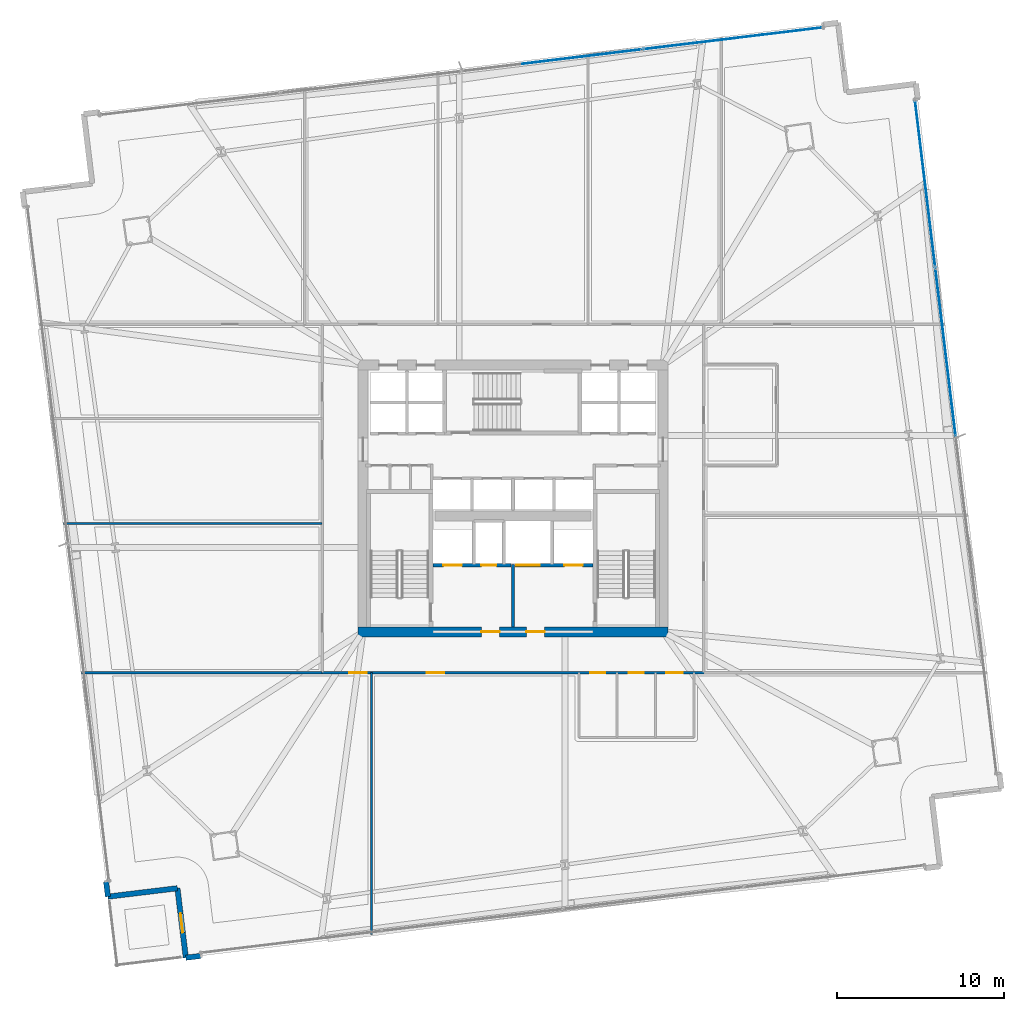
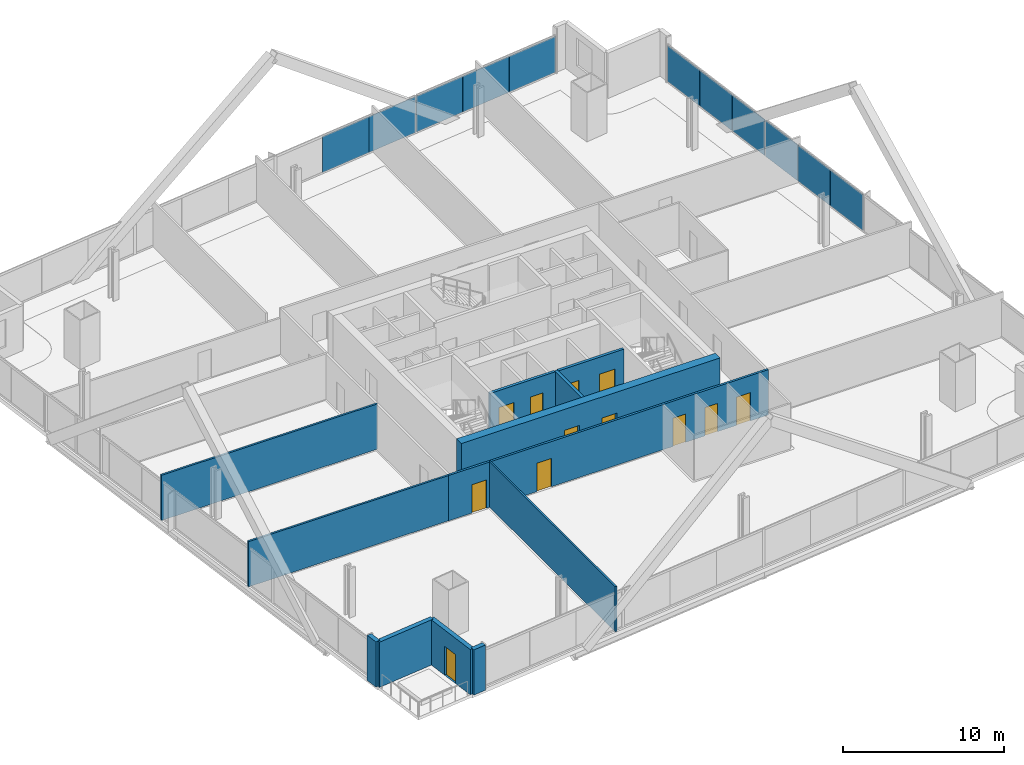
# One storey, part 25 of 33: 12 doors, 12 walls, 11 plates, 12 openings, 2 elements without a shape of their own.
"""IFC4 building model written with IfcOpenShell, lengths in metres."""

from ifc_helpers import new_model, si_unit, direction, frame, frame_2d, origin, origin_2d, place, context, subcontext, project, spatial, rectangle, extrude, source, transform, mapped, material, layer, layer_set, type_object, element, fill, aggregate, save


model = new_model("IFC4")

# Units and contexts
model_context = context("Model", 3, precision=1e-05, world=origin(), true_north=direction((0.0, 1.0)))
body_context = subcontext(model_context, "Body", "Model", "MODEL_VIEW")
ifc_project = project(units=[si_unit("LENGTHUNIT", "METRE"), si_unit("AREAUNIT", "SQUARE_METRE"), si_unit("VOLUMEUNIT", "CUBIC_METRE"), si_unit("PLANEANGLEUNIT", "RADIAN"), si_unit("MASSUNIT", "GRAM", prefix="KILO")], contexts=[model_context])

# Site, building, storey
site_placement = place(None, origin())
site = spatial("IfcSite", under=ifc_project, at=site_placement, CompositionType="ELEMENT")
building_placement = place(site_placement, origin())
building = spatial("IfcBuilding", under=site, at=building_placement, Name="Haldenkirk Collegiate Tower", CompositionType="ELEMENT")
storey_placement = place(building_placement, frame((0.0, 0.0, 51.449951171875)))
storey = spatial("IfcBuildingStorey", under=building, at=storey_placement, Name="L11", CompositionType="ELEMENT", Elevation=51.449951171875)

# Curtain wall, plates
ifc_material_1 = material(Name="Anodised architectural bronze aluminium", Category="aluminium")
curtain_wall_type = type_object("IfcCurtainWallType", Name="CW-SYS1-CONVEX-LOW", PredefinedType="USERDEFINED", material=ifc_material_1)
curtain_wall_1_placement = place(storey_placement, origin())
curtain_wall_1 = element("IfcCurtainWall", 1, at=curtain_wall_1_placement, inside=storey, type_object=curtain_wall_type, Name="L11 Lower tower convex bronze-framed unitised curtain wall", ObjectType="UNITISED CURTAIN WALL", PredefinedType="USERDEFINED")
ifc_material_2 = material(Name="Bronze-anodised insulated aluminium spandrel panel", Category="aluminium")
ifc_layer_1 = layer(ifc_material_2, 0.0439453125)
ifc_layer_set_1 = layer_set([ifc_layer_1], Name="Bronze-anodised insulated aluminium spandrel panel")
plate_type_1 = type_object("IfcPlateType", Name="CW-SPD-1A", PredefinedType="CURTAIN_PANEL", material=ifc_layer_set_1)
shared_shape_1 = source(origin(), body_context, "Body", "SweptSolid", [
    extrude(rectangle(XDim=3.36083984375, YDim=0.0439453125, at=origin_2d()), origin(), (0.0, 0.0, 1.0), 2.73095703125),
])
plate_1_placement = place(storey_placement, frame((61.547119140625, 38.13671875, 0.080078125), z_axis=(0.0, 0.0, 1.0), x_axis=(0.120137247576, -0.992757292466, 0.0)))
plate_1 = element("IfcPlate", 2, at=plate_1_placement, type_object=plate_type_1, Name="CW-1A spandrel panel 2.1a", PredefinedType="CURTAIN_PANEL", context=body_context, shape_type="MappedRepresentation", body=[
    mapped(shared_shape_1, transform((0.0, 0.0, 0.0), x_axis=(1.0, 0.0, 0.0), y_axis=(0.0, 1.0, 0.0), z_axis=(0.0, 0.0, 1.0), scale=1.0)),
])
ifc_material_3 = material(Name="Low-E argon triple insulating glass", Category="glass")
ifc_layer_2 = layer(ifc_material_3, 0.0439453125)
ifc_layer_set_2 = layer_set([ifc_layer_2], Name="Low-E argon triple insulating glass")
plate_type_2 = type_object("IfcPlateType", Name="CW-PNL-1A", PredefinedType="CURTAIN_PANEL", material=ifc_layer_set_2)
plate_2_placement = place(storey_placement, frame((62.35888671875, 31.426513671875, 0.080078125), z_axis=(0.0, 0.0, 1.0), x_axis=(0.120137247576, -0.992757292466, 0.0)))
plate_2 = element("IfcPlate", 3, at=plate_2_placement, type_object=plate_type_2, Name="CW-1A panel 2.1c", PredefinedType="CURTAIN_PANEL", context=body_context, shape_type="MappedRepresentation", body=[
    mapped(shared_shape_1, transform((0.0, 0.0, 0.0), x_axis=(1.0, 0.0, 0.0), y_axis=(0.0, 1.0, 0.0), z_axis=(0.0, 0.0, 1.0), scale=1.0)),
])
shared_shape_2 = source(origin(), body_context, "Body", "SweptSolid", [
    extrude(rectangle(XDim=3.348388671875, YDim=0.0439453125, at=origin_2d()), origin(), (0.0, 0.0, 1.0), 2.73095703125),
])
plate_3_placement = place(storey_placement, frame((61.952880859375, 34.781494140625, 0.080078125), z_axis=(0.0, 0.0, 1.0), x_axis=(0.120137247576, -0.992757292466, 0.0)))
plate_3 = element("IfcPlate", 4, at=plate_3_placement, type_object=plate_type_2, Name="CW-1A panel 2.1b", PredefinedType="CURTAIN_PANEL", context=body_context, shape_type="MappedRepresentation", body=[
    mapped(shared_shape_2, transform((0.0, 0.0, 0.0), x_axis=(1.0, 0.0, 0.0), y_axis=(0.0, 1.0, 0.0), z_axis=(0.0, 0.0, 1.0), scale=1.0)),
])

curtain_wall_2_placement = place(storey_placement, origin())
curtain_wall_2 = element("IfcCurtainWall", 5, at=curtain_wall_2_placement, inside=storey, type_object=curtain_wall_type, Name="L11 Lower tower convex bronze-framed unitised curtain wall", ObjectType="UNITISED CURTAIN WALL", PredefinedType="USERDEFINED")
shared_shape_3 = source(origin(), body_context, "Body", "SweptSolid", [
    extrude(rectangle(XDim=3.61083984375, YDim=0.0439453125, at=origin_2d()), origin(), (0.0, 0.0, 1.0), 2.73095703125),
])
plate_4_placement = place(storey_placement, frame((41.936767578125, 52.726806640625, 0.080078125), z_axis=(0.0, 0.0, 1.0), x_axis=(0.992757300755, 0.120137179083, 0.0)))
plate_4 = element("IfcPlate", 6, at=plate_4_placement, type_object=plate_type_1, Name="CW-1A spandrel panel 3.1c", PredefinedType="CURTAIN_PANEL", context=body_context, shape_type="MappedRepresentation", body=[
    mapped(shared_shape_3, transform((0.0, 0.0, 0.0), x_axis=(1.0, 0.0, 0.0), y_axis=(0.0, 1.0, 0.0), z_axis=(0.0, 0.0, 1.0), scale=1.0)),
])
shared_shape_4 = source(origin(), body_context, "Body", "SweptSolid", [
    extrude(rectangle(XDim=3.598388671875, YDim=0.0439453125, at=origin_2d()), origin(), (0.0, 0.0, 1.0), 2.73095703125),
])
plate_5_placement = place(storey_placement, frame((38.33349609375, 52.290771484375, 0.080078125), z_axis=(0.0, 0.0, 1.0), x_axis=(0.992757300755, 0.120137179083, 0.0)))
plate_5 = element("IfcPlate", 7, at=plate_5_placement, type_object=plate_type_2, Name="CW-1A panel 3.1b", PredefinedType="CURTAIN_PANEL", context=body_context, shape_type="MappedRepresentation", body=[
    mapped(shared_shape_4, transform((0.0, 0.0, 0.0), x_axis=(1.0, 0.0, 0.0), y_axis=(0.0, 1.0, 0.0), z_axis=(0.0, 0.0, 1.0), scale=1.0)),
])

# Plate
shared_shape_5 = source(origin(), body_context, "Body", "SweptSolid", [
    extrude(rectangle(XDim=3.347412109375, YDim=0.0439453125, at=origin_2d()), origin(), (0.0, 0.0, 1.0), 2.73095703125),
])
plate_6_placement = place(storey_placement, frame((60.32568359375, 48.229736328125, 0.080078125), z_axis=(0.0, 0.0, 1.0), x_axis=(0.120137247576, -0.992757292466, 0.0)))
plate_6 = element("IfcPlate", 8, at=plate_6_placement, type_object=plate_type_2, Name="CW-1A panel 1.1a", PredefinedType="CURTAIN_PANEL", context=body_context, shape_type="MappedRepresentation", body=[
    mapped(shared_shape_5, transform((0.0, 0.0, 0.0), x_axis=(1.0, 0.0, 0.0), y_axis=(0.0, 1.0, 0.0), z_axis=(0.0, 0.0, 1.0), scale=1.0)),
])

plate_7_placement = place(storey_placement, frame((61.134521484375, 41.5458984375, 0.080078125), z_axis=(0.0, 0.0, 1.0), x_axis=(0.120137247576, -0.992757292466, 0.0)))
plate_7 = element("IfcPlate", 9, at=plate_7_placement, type_object=plate_type_1, Name="CW-1A spandrel panel 1.1c", PredefinedType="CURTAIN_PANEL", context=body_context, shape_type="MappedRepresentation", body=[
    mapped(shared_shape_5, transform((0.0, 0.0, 0.0), x_axis=(1.0, 0.0, 0.0), y_axis=(0.0, 1.0, 0.0), z_axis=(0.0, 0.0, 1.0), scale=1.0)),
])

shared_shape_6 = source(origin(), body_context, "Body", "SweptSolid", [
    extrude(rectangle(XDim=3.3349609375, YDim=0.0439453125, at=origin_2d()), origin(), (0.0, 0.0, 1.0), 2.73095703125),
])
plate_8_placement = place(storey_placement, frame((60.72998046875, 44.8876953125, 0.080078125), z_axis=(0.0, 0.0, 1.0), x_axis=(0.120137247576, -0.992757292466, 0.0)))
plate_8 = element("IfcPlate", 10, at=plate_8_placement, type_object=plate_type_1, Name="CW-1A spandrel panel 1.1b", PredefinedType="CURTAIN_PANEL", context=body_context, shape_type="MappedRepresentation", body=[
    mapped(shared_shape_6, transform((0.0, 0.0, 0.0), x_axis=(1.0, 0.0, 0.0), y_axis=(0.0, 1.0, 0.0), z_axis=(0.0, 0.0, 1.0), scale=1.0)),
])

aggregate(curtain_wall_1, [plate_6, plate_8, plate_7, plate_1, plate_3, plate_2])

shared_shape_7 = source(origin(), body_context, "Body", "SweptSolid", [
    extrude(rectangle(XDim=3.597412109375, YDim=0.0439453125, at=origin_2d()), origin(), (0.0, 0.0, 1.0), 2.73095703125),
])
plate_9_placement = place(storey_placement, frame((45.59423828125, 53.16943359375, 0.080078125), z_axis=(0.0, 0.0, 1.0), x_axis=(0.992757300755, 0.120137179083, 0.0)))
plate_9 = element("IfcPlate", 11, at=plate_9_placement, type_object=plate_type_1, Name="CW-1A spandrel panel 4.1a", PredefinedType="CURTAIN_PANEL", context=body_context, shape_type="MappedRepresentation", body=[
    mapped(shared_shape_7, transform((0.0, 0.0, 0.0), x_axis=(1.0, 0.0, 0.0), y_axis=(0.0, 1.0, 0.0), z_axis=(0.0, 0.0, 1.0), scale=1.0)),
])

plate_10_placement = place(storey_placement, frame((52.7744140625, 54.038330078125, 0.080078125), z_axis=(0.0, 0.0, 1.0), x_axis=(0.992757300755, 0.120137179083, 0.0)))
plate_10 = element("IfcPlate", 12, at=plate_10_placement, type_object=plate_type_2, Name="CW-1A panel 4.1c", PredefinedType="CURTAIN_PANEL", context=body_context, shape_type="MappedRepresentation", body=[
    mapped(shared_shape_7, transform((0.0, 0.0, 0.0), x_axis=(1.0, 0.0, 0.0), y_axis=(0.0, 1.0, 0.0), z_axis=(0.0, 0.0, 1.0), scale=1.0)),
])

shared_shape_8 = source(origin(), body_context, "Body", "SweptSolid", [
    extrude(rectangle(XDim=3.5849609375, YDim=0.0439453125, at=origin_2d()), origin(), (0.0, 0.0, 1.0), 2.73095703125),
])
plate_11_placement = place(storey_placement, frame((49.18408203125, 53.603759765625, 0.080078125), z_axis=(0.0, 0.0, 1.0), x_axis=(0.992757300755, 0.120137179083, 0.0)))
plate_11 = element("IfcPlate", 13, at=plate_11_placement, type_object=plate_type_2, Name="CW-1A panel 4.1b", PredefinedType="CURTAIN_PANEL", context=body_context, shape_type="MappedRepresentation", body=[
    mapped(shared_shape_8, transform((0.0, 0.0, 0.0), x_axis=(1.0, 0.0, 0.0), y_axis=(0.0, 1.0, 0.0), z_axis=(0.0, 0.0, 1.0), scale=1.0)),
])

aggregate(curtain_wall_2, [plate_5, plate_4, plate_9, plate_11, plate_10])

# Wall, openings, doors
ifc_material_4 = material(Name="Concrete f'c 70 MPa", Category="concrete")
ifc_layer_3 = layer(ifc_material_4, 0.60009765625)
ifc_layer_set_3 = layer_set([ifc_layer_3], Name="Concrete f'c 70 MPa")
wall_type_1 = type_object("IfcWallType", Name="WL-CORE-600", PredefinedType="SHEAR", material=ifc_layer_set_3)
wall_1_placement = place(storey_placement, frame((26.699951171875, 18.0, 0.0), z_axis=(0.0, 0.0, 1.0), x_axis=(1.0, 0.0, 0.0)))
wall_1 = element("IfcWall", 14, at=wall_1_placement, inside=storey, type_object=wall_type_1, Name="L11 central core shear wall S", PredefinedType="SHEAR", context=body_context, shape_type="SweptSolid", body=[
    extrude(rectangle(XDim=18.60009765625, YDim=0.60009765625, at=frame_2d((9.300048828125, 0.0))), origin(), (0.0, 0.0, 1.0), 3.75),
])
opening_1_placement = place(wall_1_placement, frame((7.39990234375, 0.0, 0.0)))
opening_1 = element("IfcOpeningElement", 15, at=opening_1_placement, cuts=wall_1, Name="Opening D-02", PredefinedType="OPENING", context=body_context, shape_type="SweptSolid", body=[
    extrude(rectangle(XDim=1.10009765625, YDim=2.14990234375, at=frame_2d((0.550048828125, 1.074951171875))), frame((0.0, 0.31005859375, 0.0), z_axis=(0.0, -1.0, 0.0), x_axis=(1.0, 0.0, 0.0)), (0.0, 0.0, 1.0), 0.6201171875),
])
opening_2_placement = place(wall_1_placement, frame((10.10009765625, 0.0, 0.0)))
opening_2 = element("IfcOpeningElement", 16, at=opening_2_placement, cuts=wall_1, Name="Opening D-02", PredefinedType="OPENING", context=body_context, shape_type="SweptSolid", body=[
    extrude(rectangle(XDim=1.10009765625, YDim=2.14990234375, at=frame_2d((0.550048828125, 1.074951171875))), frame((0.0, 0.31005859375, 0.0), z_axis=(0.0, -1.0, 0.0), x_axis=(1.0, 0.0, 0.0)), (0.0, 0.0, 1.0), 0.6201171875),
])
ifc_material_5 = material(Name="Galvanized fire-rated hollow steel door", Category="steel")
ifc_layer_4 = layer(ifc_material_5, 0.06005859375)
ifc_layer_set_4 = layer_set([ifc_layer_4], Name="Galvanized fire-rated hollow steel door")
door_type_1 = type_object("IfcDoorType", Name="DR-STAIR-FD90-1100", OperationType="NOTDEFINED", PredefinedType="DOOR", material=ifc_layer_set_4)
door_1_placement = place(opening_1_placement, origin())
door_1 = element("IfcDoor", 17, at=door_1_placement, inside=storey, type_object=door_type_1, Name="L11 Firefighting Lobby 1 door", OperationType="SINGLE_SWING_LEFT", OverallHeight=2.14990234375, OverallWidth=1.10009765625, PredefinedType="DOOR", context=body_context, shape_type="SweptSolid", body=[
    extrude(rectangle(XDim=1.10009765625, YDim=2.14990234375, at=frame_2d((0.550048828125, 1.074951171875))), frame((0.0, 0.02490234375, 0.0), z_axis=(0.0, -1.0, 0.0), x_axis=(1.0, 0.0, 0.0)), (0.0, 0.0, 1.0), 0.050048828125),
])
fill(opening_1, door_1)
door_2_placement = place(opening_2_placement, origin())
door_2 = element("IfcDoor", 18, at=door_2_placement, inside=storey, type_object=door_type_1, Name="L11 Firefighting Lobby 2 door", OperationType="SINGLE_SWING_RIGHT", OverallHeight=2.14990234375, OverallWidth=1.10009765625, PredefinedType="DOOR", context=body_context, shape_type="SweptSolid", body=[
    extrude(rectangle(XDim=1.10009765625, YDim=2.14990234375, at=frame_2d((0.550048828125, 1.074951171875))), frame((0.0, 0.02490234375, 0.0), z_axis=(0.0, -1.0, 0.0), x_axis=(1.0, 0.0, 0.0)), (0.0, 0.0, 1.0), 0.050048828125),
])
fill(opening_2, door_2)

# Walls
ifc_material_6 = material(Name="Precast concrete f'c 40 MPa", Category="concrete")
ifc_layer_5 = layer(ifc_material_6, 0.320068359375)
ifc_layer_set_5 = layer_set([ifc_layer_5], Name="Precast concrete f'c 40 MPa")
wall_type_2 = type_object("IfcWallType", Name="WL-EXT-TWR-320", PredefinedType="STANDARD", material=ifc_layer_set_5)
for number, where, z_axis, x_axis, name in (
    (19, (17.26220703125, -1.449951171875, 0.0), (0.0, 0.0, 1.0), (-0.99275438694, -0.120161255031, 0.0), "L11 precast corner pier SR"),
    (20, (11.6943359375, 2.10693359375, 0.0), (0.0, 0.0, 1.0), (-0.120161255031, 0.99275438694, 0.0), "L11 precast corner pier WL"),
):
    element("IfcWall", number, at=place(storey_placement, frame(where, z_axis=z_axis, x_axis=x_axis)), inside=storey, type_object=wall_type_2, Name=name, PredefinedType="STANDARD", context=body_context, shape_type="SweptSolid", body=[
        extrude(rectangle(XDim=0.900146484375, YDim=0.320068359375, at=frame_2d((0.4501953125, 0.0))), origin(), (0.0, 0.0, 1.0), 3.43994140625),
    ])
wall_2_placement = place(storey_placement, frame((15.864013671875, 2.611572265625, 0.0), z_axis=(0.0, 0.0, 1.0), x_axis=(-0.992755858928, -0.120149093062, 0.0)))
element("IfcWall", 21, at=wall_2_placement, inside=storey, type_object=wall_type_2, Name="L11 bronze precast notch wall 11", PredefinedType="STANDARD", context=body_context, shape_type="SweptSolid", body=[
    extrude(rectangle(XDim=4.2001953125, YDim=0.320068359375, at=frame_2d((2.10009765625, 0.0))), origin(), (0.0, 0.0, 1.0), 3.43994140625),
])

# Wall, opening, door
wall_3_placement = place(storey_placement, frame((16.36865234375, -1.55810546875, 0.0), z_axis=(0.0, 0.0, 1.0), x_axis=(-0.120149093062, 0.992755858928, 0.0)))
wall_3 = element("IfcWall", 22, at=wall_3_placement, inside=storey, type_object=wall_type_2, Name="L11 bronze precast notch wall 12", PredefinedType="STANDARD", context=body_context, shape_type="SweptSolid", body=[
    extrude(rectangle(XDim=4.2001953125, YDim=0.320068359375, at=frame_2d((2.10009765625, 0.0))), origin(), (0.0, 0.0, 1.0), 3.43994140625),
])
opening_3_placement = place(wall_3_placement, frame((1.52490234375, 0.0, 0.0)))
opening_3 = element("IfcOpeningElement", 23, at=opening_3_placement, cuts=wall_3, Name="Opening D-ST11", PredefinedType="OPENING", context=body_context, shape_type="SweptSolid", body=[
    extrude(rectangle(XDim=1.14990234375, YDim=2.199951171875, at=frame_2d((0.574951171875, 1.10009765625))), frame((0.0, 0.169921875, 0.0), z_axis=(0.0, -1.0, 0.0), x_axis=(1.0, 0.0, 0.0)), (0.0, 0.0, 1.0), 0.340087890625),
])
ifc_layer_6 = layer(ifc_material_1, 0.080078125)
ifc_layer_set_6 = layer_set([ifc_layer_6], Name="Anodised architectural bronze aluminium")
door_type_2 = type_object("IfcDoorType", Name="DR-EXT-STER-1150", OperationType="NOTDEFINED", PredefinedType="DOOR", material=ifc_layer_set_6)
door_3_placement = place(opening_3_placement, origin())
door_3 = element("IfcDoor", 24, at=door_3_placement, inside=storey, type_object=door_type_2, Name="L11 spiralling terrace door", OperationType="SINGLE_SWING_RIGHT", OverallHeight=2.199951171875, OverallWidth=1.14990234375, PredefinedType="DOOR", context=body_context, shape_type="SweptSolid", body=[
    extrude(rectangle(XDim=1.14990234375, YDim=2.199951171875, at=frame_2d((0.574951171875, 1.10009765625))), frame((0.0, 0.02490234375, 0.0), z_axis=(0.0, -1.0, 0.0), x_axis=(1.0, 0.0, 0.0)), (0.0, 0.0, 1.0), 0.050048828125),
])
fill(opening_3, door_3)

# Wall, openings, doors
ifc_material_7 = material(Name="Acoustic fire-rated gypsum partition", Category="concrete")
ifc_layer_7 = layer(ifc_material_7, 0.159912109375)
ifc_layer_set_7 = layer_set([ifc_layer_7], Name="Acoustic fire-rated gypsum partition")
wall_type_3 = type_object("IfcWallType", Name="WL-INT-CORR-160", PredefinedType="PARTITIONING", material=ifc_layer_set_7)
wall_4_placement = place(storey_placement, frame((24.5, 15.550048828125, 0.0), z_axis=(0.0, 0.0, 1.0), x_axis=(1.0, 0.0, 0.0)))
wall_4 = element("IfcWall", 25, at=wall_4_placement, inside=storey, type_object=wall_type_3, Name="L11 interior partition IW-L11-CS", PredefinedType="PARTITIONING", context=body_context, shape_type="SweptSolid", body=[
    extrude(rectangle(XDim=23.0, YDim=0.159912109375, at=frame_2d((11.5, 0.0))), origin(), (0.0, 0.0, 1.0), 3.43994140625),
])
opening_4_placement = place(wall_4_placement, frame((16.14990234375, 0.0, 0.0)))
opening_4 = element("IfcOpeningElement", 26, at=opening_4_placement, cuts=wall_4, Name="Opening D-13", PredefinedType="OPENING", context=body_context, shape_type="SweptSolid", body=[
    extrude(rectangle(XDim=0.89990234375, YDim=2.14990234375, at=frame_2d((0.449951171875, 1.074951171875))), frame((0.0, 0.08984375, 0.0), z_axis=(0.0, -1.0, 0.0), x_axis=(1.0, 0.0, 0.0)), (0.0, 0.0, 1.0), 0.179931640625),
])
opening_5_placement = place(wall_4_placement, frame((18.449951171875, 0.0, 0.0)))
opening_5 = element("IfcOpeningElement", 27, at=opening_5_placement, cuts=wall_4, Name="Opening D-13", PredefinedType="OPENING", context=body_context, shape_type="SweptSolid", body=[
    extrude(rectangle(XDim=0.89990234375, YDim=2.14990234375, at=frame_2d((0.449951171875, 1.074951171875))), frame((0.0, 0.08984375, 0.0), z_axis=(0.0, -1.0, 0.0), x_axis=(1.0, 0.0, 0.0)), (0.0, 0.0, 1.0), 0.179931640625),
])
opening_6_placement = place(wall_4_placement, frame((20.699951171875, 0.0, 0.0)))
opening_6 = element("IfcOpeningElement", 28, at=opening_6_placement, cuts=wall_4, Name="Opening D-14", PredefinedType="OPENING", context=body_context, shape_type="SweptSolid", body=[
    extrude(rectangle(XDim=1.0, YDim=2.14990234375, at=frame_2d((0.5, 1.074951171875))), frame((0.0, 0.08984375, 0.0), z_axis=(0.0, -1.0, 0.0), x_axis=(1.0, 0.0, 0.0)), (0.0, 0.0, 1.0), 0.179931640625),
])
opening_7_placement = place(wall_4_placement, frame((1.669921875, 0.0, 0.0)))
opening_7 = element("IfcOpeningElement", 29, at=opening_7_placement, cuts=wall_4, Name="Opening D-09", PredefinedType="OPENING", context=body_context, shape_type="SweptSolid", body=[
    extrude(rectangle(XDim=1.050048828125, YDim=2.14990234375, at=frame_2d((0.52490234375, 1.074951171875))), frame((0.0, 0.08984375, 0.0), z_axis=(0.0, -1.0, 0.0), x_axis=(1.0, 0.0, 0.0)), (0.0, 0.0, 1.0), 0.179931640625),
])
opening_8_placement = place(wall_4_placement, frame((6.3330078125, 0.0, 0.0)))
opening_8 = element("IfcOpeningElement", 30, at=opening_8_placement, cuts=wall_4, Name="Opening D-09", PredefinedType="OPENING", context=body_context, shape_type="SweptSolid", body=[
    extrude(rectangle(XDim=1.050048828125, YDim=2.14990234375, at=frame_2d((0.52490234375, 1.074951171875))), frame((0.0, 0.08984375, 0.0), z_axis=(0.0, -1.0, 0.0), x_axis=(1.0, 0.0, 0.0)), (0.0, 0.0, 1.0), 0.179931640625),
])
ifc_material_8 = material(Name="Solid-core architectural oak fire door", Category="wood")
ifc_layer_8 = layer(ifc_material_8, 0.06005859375)
ifc_layer_set_8 = layer_set([ifc_layer_8], Name="Solid-core architectural oak fire door")
door_type_3 = type_object("IfcDoorType", Name="DR-INT-ACC-1000", OperationType="NOTDEFINED", PredefinedType="DOOR", material=ifc_layer_set_8)
door_4_placement = place(opening_6_placement, origin())
door_4 = element("IfcDoor", 31, at=door_4_placement, inside=storey, type_object=door_type_3, Name="L11 Accessible WC door", OperationType="SINGLE_SWING_RIGHT", OverallHeight=2.14990234375, OverallWidth=1.0, PredefinedType="DOOR", context=body_context, shape_type="SweptSolid", body=[
    extrude(rectangle(XDim=1.0, YDim=2.14990234375, at=frame_2d((0.5, 1.074951171875))), frame((0.0, 0.02490234375, 0.0), z_axis=(0.0, -1.0, 0.0), x_axis=(1.0, 0.0, 0.0)), (0.0, 0.0, 1.0), 0.050048828125),
])
fill(opening_6, door_4)
ifc_layer_9 = layer(ifc_material_8, 0.06005859375)
ifc_layer_set_9 = layer_set([ifc_layer_9], Name="Solid-core architectural oak fire door")
door_type_4 = type_object("IfcDoorType", Name="DR-INT-FD60-1050", OperationType="NOTDEFINED", PredefinedType="DOOR", material=ifc_layer_set_9)
door_5_placement = place(opening_7_placement, origin())
door_5 = element("IfcDoor", 32, at=door_5_placement, inside=storey, type_object=door_type_4, Name="L11 Special Collections Archive 1 door", OperationType="SINGLE_SWING_LEFT", OverallHeight=2.14990234375, OverallWidth=1.050048828125, PredefinedType="DOOR", context=body_context, shape_type="SweptSolid", body=[
    extrude(rectangle(XDim=1.050048828125, YDim=2.14990234375, at=frame_2d((0.52490234375, 1.074951171875))), frame((0.0, 0.02490234375, 0.0), z_axis=(0.0, -1.0, 0.0), x_axis=(1.0, 0.0, 0.0)), (0.0, 0.0, 1.0), 0.050048828125),
])
fill(opening_7, door_5)
door_6_placement = place(opening_8_placement, origin())
door_6 = element("IfcDoor", 33, at=door_6_placement, inside=storey, type_object=door_type_4, Name="L11 Rare Folio Vault 2 door", OperationType="SINGLE_SWING_RIGHT", OverallHeight=2.14990234375, OverallWidth=1.050048828125, PredefinedType="DOOR", context=body_context, shape_type="SweptSolid", body=[
    extrude(rectangle(XDim=1.050048828125, YDim=2.14990234375, at=frame_2d((0.52490234375, 1.074951171875))), frame((0.0, 0.02490234375, 0.0), z_axis=(0.0, -1.0, 0.0), x_axis=(1.0, 0.0, 0.0)), (0.0, 0.0, 1.0), 0.050048828125),
])
fill(opening_8, door_6)
ifc_layer_10 = layer(ifc_material_8, 0.06005859375)
ifc_layer_set_10 = layer_set([ifc_layer_10], Name="Solid-core architectural oak fire door")
door_type_5 = type_object("IfcDoorType", Name="DR-INT-STD-900", OperationType="NOTDEFINED", PredefinedType="DOOR", material=ifc_layer_set_10)
door_7_placement = place(opening_4_placement, origin())
door_7 = element("IfcDoor", 34, at=door_7_placement, inside=storey, type_object=door_type_5, Name="L11 Male WC door", OperationType="SINGLE_SWING_RIGHT", OverallHeight=2.14990234375, OverallWidth=0.89990234375, PredefinedType="DOOR", context=body_context, shape_type="SweptSolid", body=[
    extrude(rectangle(XDim=0.89990234375, YDim=2.14990234375, at=frame_2d((0.449951171875, 1.074951171875))), frame((0.0, 0.02490234375, 0.0), z_axis=(0.0, -1.0, 0.0), x_axis=(1.0, 0.0, 0.0)), (0.0, 0.0, 1.0), 0.050048828125),
])
fill(opening_4, door_7)
door_8_placement = place(opening_5_placement, origin())
door_8 = element("IfcDoor", 35, at=door_8_placement, inside=storey, type_object=door_type_5, Name="L11 Female WC door", OperationType="SINGLE_SWING_LEFT", OverallHeight=2.14990234375, OverallWidth=0.89990234375, PredefinedType="DOOR", context=body_context, shape_type="SweptSolid", body=[
    extrude(rectangle(XDim=0.89990234375, YDim=2.14990234375, at=frame_2d((0.449951171875, 1.074951171875))), frame((0.0, 0.02490234375, 0.0), z_axis=(0.0, -1.0, 0.0), x_axis=(1.0, 0.0, 0.0)), (0.0, 0.0, 1.0), 0.050048828125),
])
fill(opening_5, door_8)

# Walls
ifc_layer_11 = layer(ifc_material_7, 0.139892578125)
ifc_layer_set_11 = layer_set([ifc_layer_11], Name="Acoustic fire-rated gypsum partition")
wall_type_4 = type_object("IfcWallType", Name="WL-INT-DIV-140", PredefinedType="PARTITIONING", material=ifc_layer_set_11)
wall_5_placement = place(storey_placement, frame((10.10791015625, 15.550048828125, 0.0), z_axis=(0.0, 0.0, 1.0), x_axis=(1.0, 0.0, 0.0)))
element("IfcWall", 36, at=wall_5_placement, inside=storey, type_object=wall_type_4, Name="L11 interior partition IW-L11-BWS", PredefinedType="PARTITIONING", context=body_context, shape_type="SweptSolid", body=[
    extrude(rectangle(XDim=14.442138671875, YDim=0.139892578125, at=frame_2d((7.22119140625, 0.0))), origin(), (0.0, 0.0, 1.0), 3.43994140625),
])
wall_6_placement = place(storey_placement, frame((9.02490234375, 24.5, 0.0), z_axis=(0.0, 0.0, 1.0), x_axis=(1.0, 0.0, 0.0)))
element("IfcWall", 37, at=wall_6_placement, inside=storey, type_object=wall_type_4, Name="L11 interior partition IW-L11-RW1", PredefinedType="PARTITIONING", context=body_context, shape_type="SweptSolid", body=[
    extrude(rectangle(XDim=15.525146484375, YDim=0.139892578125, at=frame_2d((7.7626953125, 0.0))), origin(), (0.0, 0.0, 1.0), 3.43994140625),
])
ifc_material_9 = material(Name="Fire-rated gypsum shaftboard assembly", Category="concrete")
ifc_layer_12 = layer(ifc_material_9, 0.199951171875)
ifc_layer_set_12 = layer_set([ifc_layer_12], Name="Fire-rated gypsum shaftboard assembly")
wall_type_5 = type_object("IfcWallType", Name="WL-INT-SHAFT-200", PredefinedType="PARTITIONING", material=ifc_layer_set_12)
wall_7_placement = place(storey_placement, frame((36.0, 18.280029296875, 0.0), z_axis=(0.0, 0.0, 1.0), x_axis=(0.0, 1.0, 0.0)))
element("IfcWall", 38, at=wall_7_placement, inside=storey, type_object=wall_type_5, Name="L11 interior partition IW-L11-FFLM", PredefinedType="PARTITIONING", context=body_context, shape_type="SweptSolid", body=[
    extrude(rectangle(XDim=3.77001953125, YDim=0.199951171875, at=frame_2d((1.885009765625, 0.0))), origin(), (0.0, 0.0, 1.0), 3.43994140625),
])

# Wall, openings, doors
wall_8_placement = place(storey_placement, frame((31.18994140625, 22.0, 0.0), z_axis=(0.0, 0.0, 1.0), x_axis=(1.0, 0.0, 0.0)))
wall_8 = element("IfcWall", 39, at=wall_8_placement, inside=storey, type_object=wall_type_5, Name="L11 interior partition IW-L11-FFL1N", PredefinedType="PARTITIONING", context=body_context, shape_type="SweptSolid", body=[
    extrude(rectangle(XDim=4.68994140625, YDim=0.199951171875, at=frame_2d((2.344970703125, 0.0))), origin(), (0.0, 0.0, 1.0), 3.43994140625),
])
opening_9_placement = place(wall_8_placement, frame((2.909912109375, 0.0, 0.0)))
opening_9 = element("IfcOpeningElement", 40, at=opening_9_placement, cuts=wall_8, Name="Opening D-06", PredefinedType="OPENING", context=body_context, shape_type="SweptSolid", body=[
    extrude(rectangle(XDim=0.89990234375, YDim=2.14990234375, at=frame_2d((0.449951171875, 1.074951171875))), frame((0.0, 0.10986328125, 0.0), z_axis=(0.0, -1.0, 0.0), x_axis=(1.0, 0.0, 0.0)), (0.0, 0.0, 1.0), 0.219970703125),
])
opening_10_placement = place(wall_8_placement, frame((0.635009765625, 0.0, 0.0)))
opening_10 = element("IfcOpeningElement", 41, at=opening_10_placement, cuts=wall_8, Name="Opening LD-12", PredefinedType="OPENING", context=body_context, shape_type="SweptSolid", body=[
    extrude(rectangle(XDim=1.10009765625, YDim=2.14990234375, at=frame_2d((0.550048828125, 1.074951171875))), frame((0.0, 0.10986328125, 0.0), z_axis=(0.0, -1.0, 0.0), x_axis=(1.0, 0.0, 0.0)), (0.0, 0.0, 1.0), 0.219970703125),
])
ifc_layer_13 = layer(ifc_material_5, 0.06005859375)
ifc_layer_set_13 = layer_set([ifc_layer_13], Name="Galvanized fire-rated hollow steel door")
door_type_6 = type_object("IfcDoorType", Name="DR-INT-FD90-900", OperationType="NOTDEFINED", PredefinedType="DOOR", material=ifc_layer_set_13)
door_9_placement = place(opening_9_placement, origin())
door_9 = element("IfcDoor", 42, at=door_9_placement, inside=storey, type_object=door_type_6, Name="L11 electrical riser door", OperationType="SINGLE_SWING_LEFT", OverallHeight=2.14990234375, OverallWidth=0.89990234375, PredefinedType="DOOR", context=body_context, shape_type="SweptSolid", body=[
    extrude(rectangle(XDim=0.89990234375, YDim=2.14990234375, at=frame_2d((0.449951171875, 1.074951171875))), frame((0.0, 0.02490234375, 0.0), z_axis=(0.0, -1.0, 0.0), x_axis=(1.0, 0.0, 0.0)), (0.0, 0.0, 1.0), 0.050048828125),
])
fill(opening_9, door_9)
ifc_material_10 = material(Name="Brushed architectural stainless steel", Category="steel")
ifc_layer_14 = layer(ifc_material_10, 0.06005859375)
ifc_layer_set_14 = layer_set([ifc_layer_14], Name="Brushed architectural stainless steel")
door_type_7 = type_object("IfcDoorType", Name="LD-FIRE-1100", OperationType="NOTDEFINED", PredefinedType="DOOR", material=ifc_layer_set_14)
door_10_placement = place(opening_10_placement, origin())
door_10 = element("IfcDoor", 43, at=door_10_placement, inside=storey, type_object=door_type_7, Name="L11 Elevator FL1 sliding landing door", OperationType="SLIDING_TO_LEFT", OverallHeight=2.14990234375, OverallWidth=1.10009765625, PredefinedType="DOOR", context=body_context, shape_type="SweptSolid", body=[
    extrude(rectangle(XDim=1.10009765625, YDim=2.14990234375, at=frame_2d((0.550048828125, 1.074951171875))), frame((0.0, 0.02490234375, 0.0), z_axis=(0.0, -1.0, 0.0), x_axis=(1.0, 0.0, 0.0)), (0.0, 0.0, 1.0), 0.050048828125),
])
fill(opening_10, door_10)

wall_9_placement = place(storey_placement, frame((36.1201171875, 22.0, 0.0), z_axis=(0.0, 0.0, 1.0), x_axis=(1.0, 0.0, 0.0)))
wall_9 = element("IfcWall", 44, at=wall_9_placement, inside=storey, type_object=wall_type_5, Name="L11 interior partition IW-L11-FFL2N", PredefinedType="PARTITIONING", context=body_context, shape_type="SweptSolid", body=[
    extrude(rectangle(XDim=4.68994140625, YDim=0.199951171875, at=frame_2d((2.344970703125, 0.0))), origin(), (0.0, 0.0, 1.0), 3.43994140625),
])
opening_11_placement = place(wall_9_placement, frame((2.955078125, 0.0, 0.0)))
opening_11 = element("IfcOpeningElement", 45, at=opening_11_placement, cuts=wall_9, Name="Opening LD-12", PredefinedType="OPENING", context=body_context, shape_type="SweptSolid", body=[
    extrude(rectangle(XDim=1.10009765625, YDim=2.14990234375, at=frame_2d((0.550048828125, 1.074951171875))), frame((0.0, 0.10986328125, 0.0), z_axis=(0.0, -1.0, 0.0), x_axis=(1.0, 0.0, 0.0)), (0.0, 0.0, 1.0), 0.219970703125),
])
opening_12_placement = place(wall_9_placement, frame((0.080078125, 0.0, 0.0)))
opening_12 = element("IfcOpeningElement", 46, at=opening_12_placement, cuts=wall_9, Name="Opening LD-13", PredefinedType="OPENING", context=body_context, shape_type="SweptSolid", body=[
    extrude(rectangle(XDim=1.39990234375, YDim=2.199951171875, at=frame_2d((0.699951171875, 1.10009765625))), frame((0.0, 0.10986328125, 0.0), z_axis=(0.0, -1.0, 0.0), x_axis=(1.0, 0.0, 0.0)), (0.0, 0.0, 1.0), 0.219970703125),
])
door_11_placement = place(opening_11_placement, origin())
door_11 = element("IfcDoor", 47, at=door_11_placement, inside=storey, type_object=door_type_7, Name="L11 Elevator FL2 sliding landing door", OperationType="SLIDING_TO_LEFT", OverallHeight=2.14990234375, OverallWidth=1.10009765625, PredefinedType="DOOR", context=body_context, shape_type="SweptSolid", body=[
    extrude(rectangle(XDim=1.10009765625, YDim=2.14990234375, at=frame_2d((0.550048828125, 1.074951171875))), frame((0.0, 0.02490234375, 0.0), z_axis=(0.0, -1.0, 0.0), x_axis=(1.0, 0.0, 0.0)), (0.0, 0.0, 1.0), 0.050048828125),
])
fill(opening_11, door_11)
ifc_layer_15 = layer(ifc_material_10, 0.06005859375)
ifc_layer_set_15 = layer_set([ifc_layer_15], Name="Brushed architectural stainless steel")
door_type_8 = type_object("IfcDoorType", Name="LD-GOODS-1400", OperationType="NOTDEFINED", PredefinedType="DOOR", material=ifc_layer_set_15)
door_12_placement = place(opening_12_placement, origin())
door_12 = element("IfcDoor", 48, at=door_12_placement, inside=storey, type_object=door_type_8, Name="L11 Elevator GL1 sliding landing door", OperationType="SLIDING_TO_LEFT", OverallHeight=2.199951171875, OverallWidth=1.39990234375, PredefinedType="DOOR", context=body_context, shape_type="SweptSolid", body=[
    extrude(rectangle(XDim=1.39990234375, YDim=2.199951171875, at=frame_2d((0.699951171875, 1.10009765625))), frame((0.0, 0.02490234375, 0.0), z_axis=(0.0, -1.0, 0.0), x_axis=(1.0, 0.0, 0.0)), (0.0, 0.0, 1.0), 0.050048828125),
])
fill(opening_12, door_12)

# Wall
ifc_layer_16 = layer(ifc_material_7, 0.1201171875)
ifc_layer_set_16 = layer_set([ifc_layer_16], Name="Acoustic fire-rated gypsum partition")
wall_type_6 = type_object("IfcWallType", Name="WL-INT-WET-120", PredefinedType="PARTITIONING", material=ifc_layer_set_16)
wall_10_placement = place(storey_placement, frame((27.5, -0.170654296875, 0.0), z_axis=(0.0, 0.0, 1.0), x_axis=(0.0, 1.0, 0.0)))
element("IfcWall", 49, at=wall_10_placement, inside=storey, type_object=wall_type_6, Name="L11 interior partition IW-L11-RS1", PredefinedType="PARTITIONING", context=body_context, shape_type="SweptSolid", body=[
    extrude(rectangle(XDim=15.720703125, YDim=0.1201171875, at=frame_2d((7.8603515625, 0.0))), origin(), (0.0, 0.0, 1.0), 3.43994140625),
])

save(model, "model.ifc")
